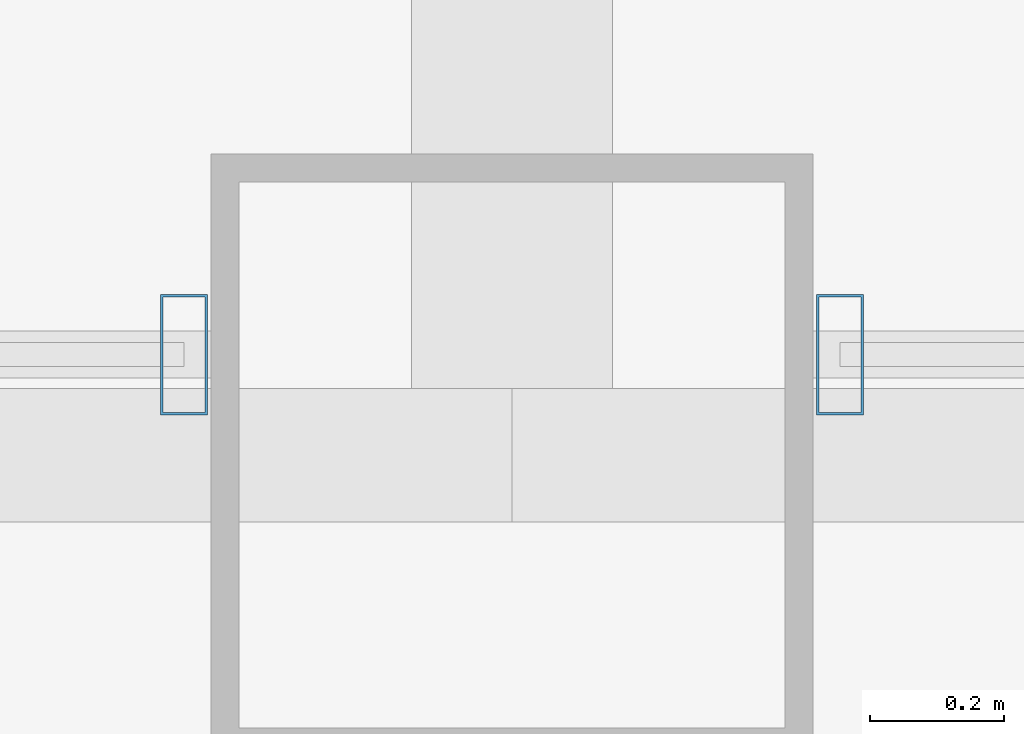
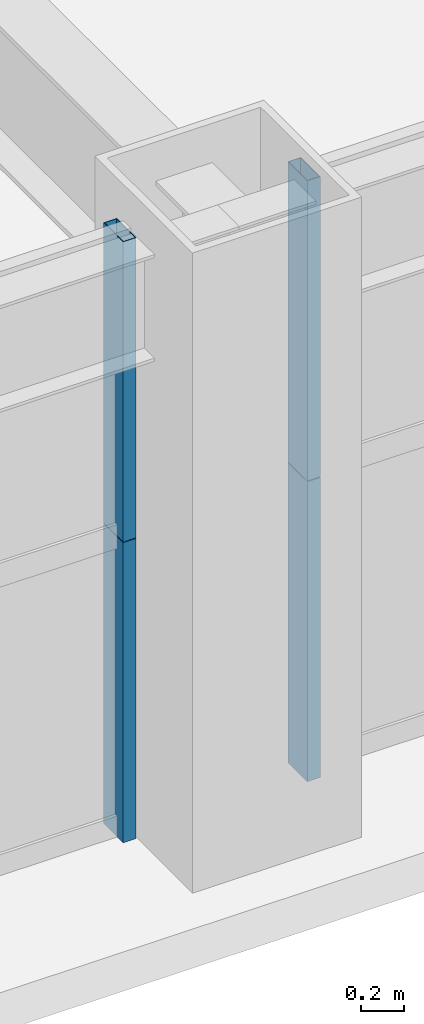
# One storey, part 7 of 43: 4 members, 2 elements without a shape of their own.
"""IFC4 building model written with IfcOpenShell, lengths in metres."""

import ifcopenshell
import ifcopenshell.guid

model = None  # the IFC model being written
_history = None  # IfcOwnerHistory: only IFC2X3 demands one
_inside = {}  # id of a spatial element -> (the spatial element, [elements in it])
_under = {}  # id of a project, library or spatial element -> (it, [spatial elements below it])
_declared = {}  # id of a project -> (the project, [libraries it declares])
_typed = {}  # id of a type object -> (the type object, [elements of that type])
_made_of = {}  # id of a material, layer set ... -> (it, [elements and type objects made of it])


def new_model(schema):
    """Start an empty IFC model of exactly this schema.

    Asked for "IFC4X3", IfcOpenShell would pick the latest addendum, in which some entities
    have other attributes; the version numbers below select the first issue.
    IFC2X3 requires an IfcOwnerHistory on every rooted entity: one is made here for all.
    """
    global model, _history
    if schema == "IFC4X3":
        model = ifcopenshell.file(schema_version=(4, 3, 0, 0))
    else:
        model = ifcopenshell.file(schema=schema)
    _inside.clear()
    _under.clear()
    _declared.clear()
    _typed.clear()
    _made_of.clear()
    _history = None
    if model.schema == "IFC2X3":
        org = make("IfcOrganization", Name="unknown")
        user = make(
            "IfcPersonAndOrganization",
            ThePerson=make("IfcPerson", FamilyName="unknown"),
            TheOrganization=org,
        )
        app = make(
            "IfcApplication",
            ApplicationDeveloper=org,
            Version="unknown",
            ApplicationFullName="unknown",
            ApplicationIdentifier="unknown",
        )
        _history = make(
            "IfcOwnerHistory",
            OwningUser=user,
            OwningApplication=app,
            ChangeAction="ADDED",
            CreationDate=0,
        )
    return model


def make(cls, **values):
    """One entity of the class cls with the attributes given. An attribute that is None is left unset."""
    return model.create_entity(
        cls, **{name: value for name, value in values.items() if value is not None}
    )


def rooted(cls, **values):
    """An entity with a GlobalId (a new one), such as an element, a storey or a relation."""
    return make(cls, GlobalId=ifcopenshell.guid.new(), OwnerHistory=_history, **values)


def si_unit(unit_type, name, prefix=None):
    """IfcSIUnit, for example si_unit("LENGTHUNIT", "METRE", prefix="MILLI")."""
    return make("IfcSIUnit", UnitType=unit_type, Prefix=prefix, Name=name)


def assignment(units):
    """IfcUnitAssignment: the units of a project."""
    return None if units is None else make("IfcUnitAssignment", Units=units)


def point(xyz):
    """IfcCartesianPoint."""
    return None if xyz is None else make("IfcCartesianPoint", Coordinates=xyz)


def direction(xyz):
    """IfcDirection."""
    return None if xyz is None else make("IfcDirection", DirectionRatios=xyz)


def frame(location, z_axis=None, x_axis=None):
    """IfcAxis2Placement3D, a coordinate frame: its origin and axes. An axis left out is left unset."""
    return make(
        "IfcAxis2Placement3D",
        Location=point(location),
        Axis=direction(z_axis),
        RefDirection=direction(x_axis),
    )


def frame_2d(location, x_axis=None):
    """IfcAxis2Placement2D, a coordinate frame in the plane: its origin and x axis."""
    return make(
        "IfcAxis2Placement2D", Location=point(location), RefDirection=direction(x_axis)
    )


def origin():
    """The frame at (0, 0, 0) with its axes left unset."""
    return frame((0.0, 0.0, 0.0))


def origin_2d():
    """The frame at (0, 0) in the plane with its x axis left unset."""
    return frame_2d((0.0, 0.0))


def place(relative_to, where):
    """IfcLocalPlacement: puts the frame where relative to a parent placement (None: the world)."""
    return make(
        "IfcLocalPlacement", PlacementRelTo=relative_to, RelativePlacement=where
    )


def context(
    kind, dimensions, precision=None, world=None, true_north=None, identifier=None
):
    """IfcGeometricRepresentationContext, for example the 3D "Model" context."""
    return make(
        "IfcGeometricRepresentationContext",
        ContextIdentifier=identifier,
        ContextType=kind,
        CoordinateSpaceDimension=dimensions,
        Precision=precision,
        WorldCoordinateSystem=world,
        TrueNorth=true_north,
    )


def subcontext(parent, identifier, kind, view, scale=None):
    """IfcGeometricRepresentationSubContext, for example "Body" below "Model"."""
    return make(
        "IfcGeometricRepresentationSubContext",
        ContextIdentifier=identifier,
        ContextType=kind,
        ParentContext=parent,
        TargetScale=scale,
        TargetView=view,
    )


def project(units=None, contexts=None):
    """IfcProject with its units and contexts."""
    return rooted(
        "IfcProject",
        Name="project",
        RepresentationContexts=contexts,
        UnitsInContext=assignment(units),
    )


def spatial(cls, under=None, at=None, **own):
    """A site, building, storey or space (cls), placed at a placement, below another one or the project."""
    s = rooted(cls, ObjectPlacement=at, **own)
    if under is not None:
        _under.setdefault(under.id(), (under, []))[1].append(s)
    return s


def profile(cls, at=None, kind="AREA", **sizes):
    """A parametric profile (cls). Its sizes go by their IFC names, for example OverallWidth=200.0."""
    return make(cls, ProfileType=kind, Position=at, **sizes)


def hollow_rectangle(**sizes):
    """IfcRectangleHollowProfileDef."""
    return profile("IfcRectangleHollowProfileDef", **sizes)


def extrude(swept, where, along, depth):
    """IfcExtrudedAreaSolid: the profile swept, set in the frame where, extruded along a direction by depth."""
    return make(
        "IfcExtrudedAreaSolid",
        SweptArea=swept,
        Position=where,
        ExtrudedDirection=direction(along),
        Depth=depth,
    )


def shape(context_of_items, identifier, shape_type, items):
    """IfcShapeRepresentation: the items that make up one representation, for example the "Body"."""
    return make(
        "IfcShapeRepresentation",
        ContextOfItems=context_of_items,
        RepresentationIdentifier=identifier,
        RepresentationType=shape_type,
        Items=items,
    )


def source(mapping_origin, context_of_items, identifier, shape_type, items):
    """IfcRepresentationMap: a shape defined once, which mapped items show again and again."""
    return make(
        "IfcRepresentationMap",
        MappingOrigin=mapping_origin,
        MappedRepresentation=shape(context_of_items, identifier, shape_type, items),
    )


def transform(
    local_origin,
    x_axis=None,
    y_axis=None,
    z_axis=None,
    scale=None,
    scale2=None,
    scale3=None,
    uniform=True,
):
    """IfcCartesianTransformationOperator3D, or its non-uniform kind. x_axis, y_axis, z_axis: its Axis1, 2, 3."""
    if uniform:
        return make(
            "IfcCartesianTransformationOperator3D",
            Axis1=direction(x_axis),
            Axis2=direction(y_axis),
            LocalOrigin=point(local_origin),
            Scale=scale,
            Axis3=direction(z_axis),
        )
    return make(
        "IfcCartesianTransformationOperator3DnonUniform",
        Axis1=direction(x_axis),
        Axis2=direction(y_axis),
        LocalOrigin=point(local_origin),
        Scale=scale,
        Axis3=direction(z_axis),
        Scale2=scale2,
        Scale3=scale3,
    )


def mapped(mapping_source, mapping_target):
    """IfcMappedItem: shows the shape of a source again, moved by a transform."""
    return make(
        "IfcMappedItem", MappingSource=mapping_source, MappingTarget=mapping_target
    )


def material(Name=None, Category=None):
    """IfcMaterial."""
    return make("IfcMaterial", Name=Name, Category=Category)


def layer(
    of_material, thickness, ventilated=None, Name=None, Category=None, Priority=None
):
    """IfcMaterialLayer: one layer of a wall or slab, of a material (None: an air gap)."""
    return make(
        "IfcMaterialLayer",
        Material=of_material,
        LayerThickness=thickness,
        IsVentilated=ventilated,
        Name=Name,
        Category=Category,
        Priority=Priority,
    )


def layer_set(layers, Name=None):
    """IfcMaterialLayerSet."""
    return make("IfcMaterialLayerSet", MaterialLayers=layers, LayerSetName=Name)


def material_profile(
    of_material, cross_section, Name=None, Category=None, Priority=None
):
    """IfcMaterialProfile: a cross section and its material."""
    return make(
        "IfcMaterialProfile",
        Name=Name,
        Material=of_material,
        Profile=cross_section,
        Priority=Priority,
        Category=Category,
    )


def profile_set(profiles, Name=None, composite=None):
    """IfcMaterialProfileSet."""
    return make(
        "IfcMaterialProfileSet",
        Name=Name,
        MaterialProfiles=profiles,
        CompositeProfile=composite,
    )


def made_of(thing, what):
    """Note that an element or type object is made of a material, layer set ...; save() writes the relation."""
    if what is not None:
        _made_of.setdefault(what.id(), (what, []))[1].append(thing)
    return thing


def type_object(cls, material=None, **own):
    """A type object (cls), such as IfcWallType, which elements share."""
    return made_of(rooted(cls, **own), material)


def element(
    cls,
    number,
    at=None,
    inside=None,
    cuts=None,
    type_object=None,
    material=None,
    context=None,
    identifier="Body",
    shape_type=None,
    held_by="IfcProductDefinitionShape",
    body=None,
    shapes=None,
    **own,
):
    """One element of the class cls, such as IfcWall. Its Tag is "e" and its number.

    at: its placement. inside: the storey or other place that contains it. cuts: it is an
    opening in that element (IfcRelVoidsElement). A single representation is given by context,
    identifier, shape_type and body (its items); several are given by shapes. held_by: the class
    of the entity that holds the representations. save() writes the other relations.
    """
    e = rooted(cls, Tag="e%d" % number, ObjectPlacement=at, **own)
    if body is not None:
        shapes = [shape(context, identifier, shape_type, body)]
    if shapes is not None:
        e.Representation = make(held_by, Representations=shapes)
    if inside is not None:
        _inside.setdefault(inside.id(), (inside, []))[1].append(e)
    if cuts is not None:
        rooted(
            "IfcRelVoidsElement", RelatingBuildingElement=cuts, RelatedOpeningElement=e
        )
    if type_object is not None:
        _typed.setdefault(type_object.id(), (type_object, []))[1].append(e)
    return made_of(e, material)


def aggregate(whole, parts):
    """IfcRelAggregates: a whole, such as a stair, and the parts it consists of."""
    return rooted("IfcRelAggregates", RelatingObject=whole, RelatedObjects=parts)


def save(model, path):
    """Write the relations noted so far, then the file.

    IfcRelAggregates (storeys below a building ...), IfcRelContainedInSpatialStructure (elements
    in a storey), IfcRelDefinesByType, IfcRelAssociatesMaterial and IfcRelDeclares: one each for
    every whole, place, type object, material and project.
    """
    for whole, parts in _under.values():
        aggregate(whole, parts)
    for where, things in _inside.values():
        rooted(
            "IfcRelContainedInSpatialStructure",
            RelatedElements=things,
            RelatingStructure=where,
        )
    for kind, things in _typed.values():
        rooted("IfcRelDefinesByType", RelatedObjects=things, RelatingType=kind)
    for what, things in _made_of.values():
        rooted("IfcRelAssociatesMaterial", RelatedObjects=things, RelatingMaterial=what)
    for by, libraries in _declared.values():
        rooted("IfcRelDeclares", RelatingContext=by, RelatedDefinitions=libraries)
    model.write(path)


model = new_model("IFC4")

# Units and contexts
model_context = context("Model", 3, precision=1e-05, world=origin(), true_north=direction((0.0, 1.0)))
body_context = subcontext(model_context, "Body", "Model", "MODEL_VIEW")
ifc_project = project(units=[si_unit("LENGTHUNIT", "METRE"), si_unit("AREAUNIT", "SQUARE_METRE"), si_unit("VOLUMEUNIT", "CUBIC_METRE"), si_unit("PLANEANGLEUNIT", "RADIAN"), si_unit("MASSUNIT", "GRAM", prefix="KILO"), si_unit("THERMODYNAMICTEMPERATUREUNIT", "KELVIN"), si_unit("POWERUNIT", "WATT")], contexts=[model_context])

# Site, building, storey
site_placement = place(None, origin())
site = spatial("IfcSite", under=ifc_project, at=site_placement, CompositionType="ELEMENT")
building_placement = place(site_placement, origin())
building = spatial("IfcBuilding", under=site, at=building_placement, Name="Yuzanri Waterfront Tower", CompositionType="ELEMENT")
storey_placement = place(building_placement, frame((0.0, 0.0, 53.199951171875)))
storey = spatial("IfcBuildingStorey", under=building, at=storey_placement, Name="L13", CompositionType="ELEMENT", Elevation=53.199951171875)

# Curtain wall, members
ifc_material_1 = material(Name="Anodized Architectural Bronze", Category="metal")
ifc_layer = layer(ifc_material_1, 0.159912109375)
ifc_layer_set = layer_set([ifc_layer], Name="Anodized Architectural Bronze")
curtain_wall_type = type_object("IfcCurtainWallType", Name="Anodized Bronze Hotel Lower-Tier Recessed Unitized Curtain Wall 8100", PredefinedType="NOTDEFINED", material=ifc_layer_set)
curtain_wall_1_placement = place(storey_placement, origin())
curtain_wall_1 = element("IfcCurtainWall", 1, at=curtain_wall_1_placement, inside=storey, type_object=curtain_wall_type, Name="L13 Curtain Wall CW-L13-SL", PredefinedType="NOTDEFINED")
ifc_material_2 = material(Name="Anodized Architectural Bronze", Category="metal")
ifc_material_profile = material_profile(ifc_material_2, hollow_rectangle(XDim=0.070068359375, YDim=0.179931640625, WallThickness=0.00390625, at=origin_2d()), Name="CWM 70x180")
ifc_profile_set = profile_set([ifc_material_profile], Name="Anodized Architectural Bronze")
member_type = type_object("IfcMemberType", Name="Anodized Bronze Standard Curtain-Wall Mullion 70x180", PredefinedType="MULLION", material=ifc_profile_set)
shared_shape = source(origin(), body_context, "Body", "SweptSolid", [
    extrude(hollow_rectangle(XDim=0.070068359375, YDim=0.179931640625, WallThickness=0.00390625, at=origin_2d()), origin(), (0.0, 0.0, 1.0), 1.68798828125),
])
member_1_placement = place(storey_placement, frame((36.510009765625, 0.85009765625, 0.0), z_axis=(0.0, 0.0, 1.0), x_axis=(1.0, 0.0, 0.0)))
member_1 = element("IfcMember", 2, at=member_1_placement, type_object=member_type, Name="CW-L13-SL Lower Mullion 02", PredefinedType="MULLION", context=body_context, shape_type="MappedRepresentation", body=[
    mapped(shared_shape, transform((0.0, 0.0, 0.0), scale=1.0)),
])
member_2_placement = place(storey_placement, frame((36.510009765625, 0.85009765625, 1.692138671875), z_axis=(0.0, 0.0, 1.0), x_axis=(1.0, 0.0, 0.0)))
member_2 = element("IfcMember", 3, at=member_2_placement, type_object=member_type, Name="CW-L13-SL Upper Mullion 02", PredefinedType="MULLION", context=body_context, shape_type="MappedRepresentation", body=[
    mapped(shared_shape, transform((0.0, 0.0, 0.0), scale=1.0)),
])
aggregate(curtain_wall_1, [member_1, member_2])

curtain_wall_2_placement = place(storey_placement, origin())
curtain_wall_2 = element("IfcCurtainWall", 4, at=curtain_wall_2_placement, inside=storey, type_object=curtain_wall_type, Name="L13 Curtain Wall CW-L13-SR", PredefinedType="NOTDEFINED")
member_3_placement = place(storey_placement, frame((37.489990234375, 0.85009765625, 0.0), z_axis=(0.0, 0.0, 1.0), x_axis=(1.0, 0.0, 0.0)))
member_3 = element("IfcMember", 5, at=member_3_placement, type_object=member_type, Name="CW-L13-SR Lower Mullion 00", PredefinedType="MULLION", context=body_context, shape_type="MappedRepresentation", body=[
    mapped(shared_shape, transform((0.0, 0.0, 0.0), scale=1.0)),
])
member_4_placement = place(storey_placement, frame((37.489990234375, 0.85009765625, 1.692138671875), z_axis=(0.0, 0.0, 1.0), x_axis=(1.0, 0.0, 0.0)))
member_4 = element("IfcMember", 6, at=member_4_placement, type_object=member_type, Name="CW-L13-SR Upper Mullion 00", PredefinedType="MULLION", context=body_context, shape_type="MappedRepresentation", body=[
    mapped(shared_shape, transform((0.0, 0.0, 0.0), scale=1.0)),
])
aggregate(curtain_wall_2, [member_3, member_4])

save(model, "model.ifc")
